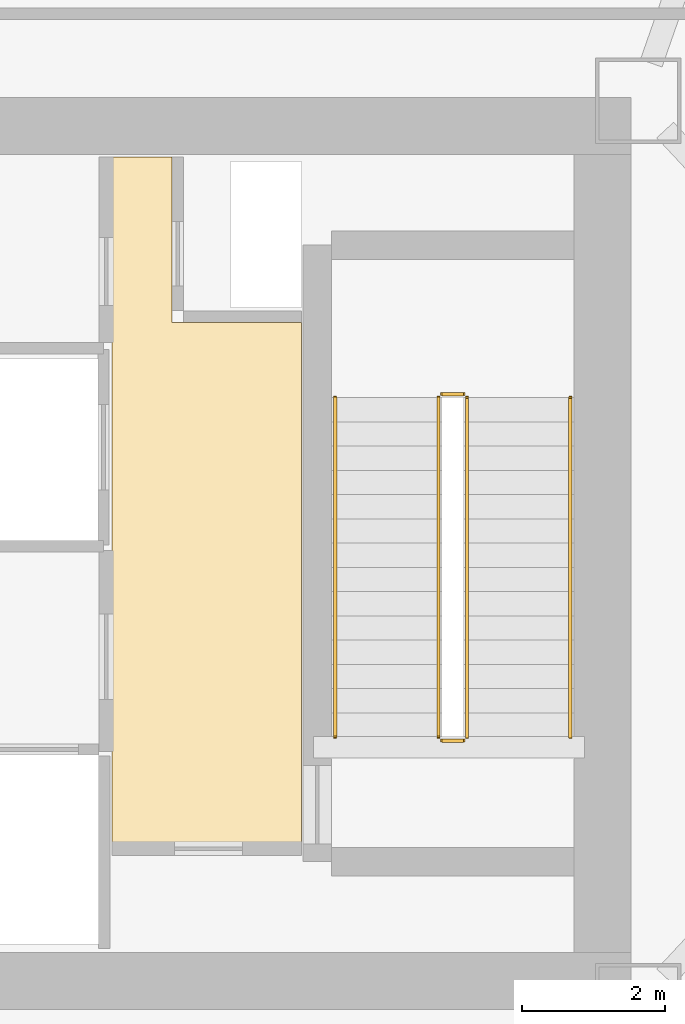
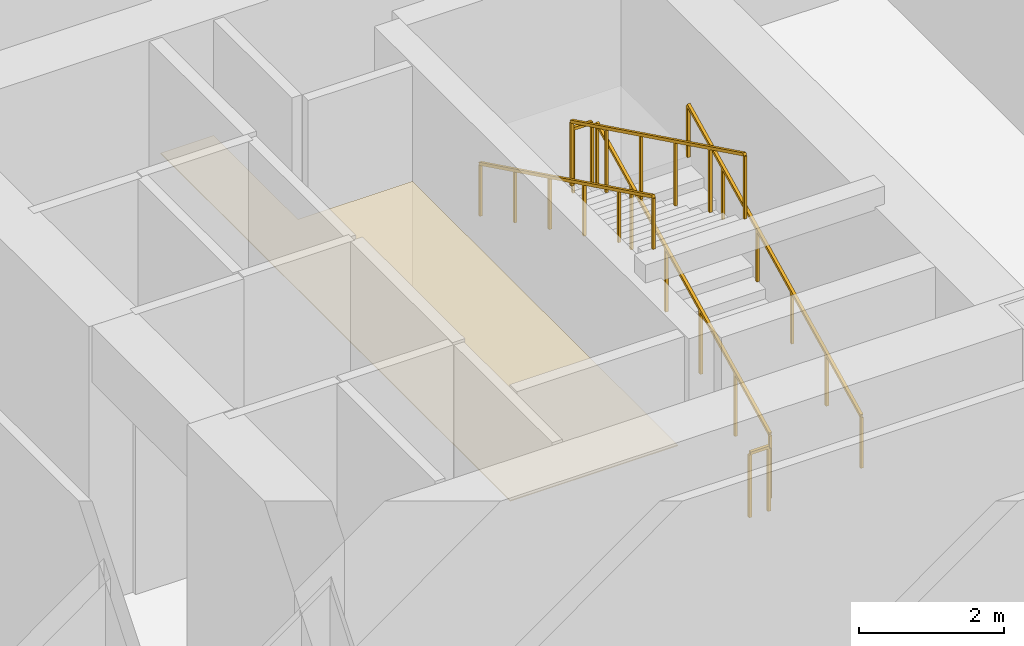
# One storey, part 20 of 20: 6 railings, 1 covering.
"""IFC4 building model written with IfcOpenShell, lengths in metres."""

from ifc_helpers import new_model, si_unit, direction, frame, origin, origin_2d, place, context, subcontext, project, spatial, polyline, rectangle, outline, extrude, material, layer, layer_set, type_object, element, save


model = new_model("IFC4")

# Units and contexts
model_context = context("Model", 3, precision=1e-05, world=origin(), true_north=direction((0.0, 1.0)))
body_context = subcontext(model_context, "Body", "Model", "MODEL_VIEW")
ifc_project = project(units=[si_unit("LENGTHUNIT", "METRE"), si_unit("AREAUNIT", "SQUARE_METRE"), si_unit("VOLUMEUNIT", "CUBIC_METRE"), si_unit("PLANEANGLEUNIT", "RADIAN"), si_unit("MASSUNIT", "GRAM", prefix="KILO")], contexts=[model_context])

# Site, building, storey
site_placement = place(None, origin())
site = spatial("IfcSite", under=ifc_project, at=site_placement, CompositionType="ELEMENT")
building_placement = place(site_placement, origin())
building = spatial("IfcBuilding", under=site, at=building_placement, Name="Tavrogorsk Clinical Tower", CompositionType="ELEMENT")
storey_placement = place(building_placement, frame((0.0, 0.0, 23.39990234375)))
storey = spatial("IfcBuildingStorey", under=building, at=storey_placement, Name="L04", CompositionType="ELEMENT", Elevation=23.39990234375)

# Covering
ifc_material_1 = material(Name="Antibacterial micro-perforated aluminium ceiling", Category="aluminium")
ifc_layer_1 = layer(ifc_material_1, 0.014892578125)
ifc_layer_set_1 = layer_set([ifc_layer_1], Name="Antibacterial micro-perforated aluminium ceiling")
covering_type = type_object("IfcCoveringType", Name="ClinicalCeiling_15", PredefinedType="CEILING", material=ifc_layer_set_1)
covering_placement = place(storey_placement, frame((0.0, 0.0, 2.75)))
element("IfcCovering", 1, at=covering_placement, inside=storey, type_object=covering_type, Name="Core East Firefighting Lift Lobby Acoustic Ceiling", PredefinedType="CEILING", context=body_context, shape_type="SweptSolid", body=[
    extrude(outline(polyline([(17.3798828125, -4.06005859375), (14.719970703125, -4.06005859375), (14.719970703125, 5.56005859375), (15.56005859375, 5.56005859375), (15.56005859375, 3.239990234375), (17.3798828125, 3.239990234375), (17.3798828125, -4.06005859375)])), origin(), (0.0, 0.0, 1.0), 0.01513671875),
])

# Railings
ifc_material_2 = material(Name="Galvanised steel S355 safety stairwell guard", Category="steel")
ifc_layer_2 = layer(ifc_material_2, 0.06005859375)
ifc_layer_set_2 = layer_set([ifc_layer_2], Name="Galvanised steel S355 safety stairwell guard")
railing_type_1 = type_object("IfcRailingType", Name="StairGuard_1150", PredefinedType="GUARDRAIL", material=ifc_layer_set_2)
railing_1_placement = place(storey_placement, frame((19.699951171875, -2.574951171875, 0.166748046875)))
element("IfcRailing", 2, at=railing_1_placement, inside=storey, type_object=railing_type_1, Name="L04 ST-E stair guard 1", PredefinedType="GUARDRAIL", context=body_context, shape_type="SweptSolid", body=[
    extrude(rectangle(XDim=0.048095703125, YDim=0.048095703125, at=origin_2d()), frame((0.0, 0.0, 1.076171875), z_axis=(0.0, 0.897927146867, 0.440144111535), x_axis=(-1.0, 0.0, 0.0)), (0.0, 0.0, 1.0), 5.301025390625),
    extrude(rectangle(XDim=0.0419921875, YDim=0.0419921875, at=origin_2d()), origin(), (0.0, 0.0, 1.0), 1.052001953125),
    extrude(rectangle(XDim=0.0419921875, YDim=0.0419921875, at=origin_2d()), frame((0.0, 0.951904296875, 0.466552734375)), (0.0, 0.0, 1.0), 1.052001953125),
    extrude(rectangle(XDim=0.0419921875, YDim=0.0419921875, at=origin_2d()), frame((0.0, 1.904052734375, 0.933349609375)), (0.0, 0.0, 1.0), 1.052001953125),
    extrude(rectangle(XDim=0.0419921875, YDim=0.0419921875, at=origin_2d()), frame((0.0, 2.85595703125, 1.39990234375)), (0.0, 0.0, 1.0), 1.052001953125),
    extrude(rectangle(XDim=0.0419921875, YDim=0.0419921875, at=origin_2d()), frame((0.0, 3.80810546875, 1.86669921875)), (0.0, 0.0, 1.0), 1.052001953125),
    extrude(rectangle(XDim=0.0419921875, YDim=0.0419921875, at=origin_2d()), frame((0.0, 4.760009765625, 2.333251953125)), (0.0, 0.0, 1.0), 1.052001953125),
])
railing_2_placement = place(storey_placement, frame((19.64990234375, 2.235107421875, 2.5)))
element("IfcRailing", 3, at=railing_2_placement, inside=storey, type_object=railing_type_1, Name="L04 ST-E stair guard 2", PredefinedType="GUARDRAIL", context=body_context, shape_type="SweptSolid", body=[
    extrude(rectangle(XDim=0.048095703125, YDim=0.048095703125, at=origin_2d()), frame((0.0, 0.0, 1.076171875), z_axis=(-1.0, 0.0, 0.0), x_axis=(0.0, -1.0, 0.0)), (0.0, 0.0, 1.0), 0.2998046875),
    extrude(rectangle(XDim=0.0419921875, YDim=0.0419921875, at=origin_2d()), origin(), (0.0, 0.0, 1.0), 1.052001953125),
    extrude(rectangle(XDim=0.0419921875, YDim=0.0419921875, at=origin_2d()), frame((-0.2998046875, 0.0, 0.0)), (0.0, 0.0, 1.0), 1.052001953125),
])
railing_3_placement = place(storey_placement, frame((19.300048828125, 2.18505859375, 2.666748046875)))
element("IfcRailing", 4, at=railing_3_placement, inside=storey, type_object=railing_type_1, Name="L04 ST-E stair guard 3", PredefinedType="GUARDRAIL", context=body_context, shape_type="SweptSolid", body=[
    extrude(rectangle(XDim=0.048095703125, YDim=0.048095703125, at=origin_2d()), frame((0.0, 0.0, 1.076171875), z_axis=(0.0, -0.897927146867, 0.440144111535), x_axis=(1.0, 0.0, 0.0)), (0.0, 0.0, 1.0), 5.301025390625),
    extrude(rectangle(XDim=0.0419921875, YDim=0.0419921875, at=origin_2d()), origin(), (0.0, 0.0, 1.0), 1.052001953125),
    extrude(rectangle(XDim=0.0419921875, YDim=0.0419921875, at=origin_2d()), frame((0.0, -0.951904296875, 0.466552734375)), (0.0, 0.0, 1.0), 1.052001953125),
    extrude(rectangle(XDim=0.0419921875, YDim=0.0419921875, at=origin_2d()), frame((0.0, -1.904052734375, 0.933349609375)), (0.0, 0.0, 1.0), 1.052001953125),
    extrude(rectangle(XDim=0.0419921875, YDim=0.0419921875, at=origin_2d()), frame((0.0, -2.85595703125, 1.39990234375)), (0.0, 0.0, 1.0), 1.052001953125),
    extrude(rectangle(XDim=0.0419921875, YDim=0.0419921875, at=origin_2d()), frame((0.0, -3.80810546875, 1.86669921875)), (0.0, 0.0, 1.0), 1.052001953125),
    extrude(rectangle(XDim=0.0419921875, YDim=0.0419921875, at=origin_2d()), frame((0.0, -4.760009765625, 2.333251953125)), (0.0, 0.0, 1.0), 1.052001953125),
])
railing_4_placement = place(storey_placement, frame((19.64990234375, -2.625, 0.0)))
element("IfcRailing", 5, at=railing_4_placement, inside=storey, type_object=railing_type_1, Name="L04 ST-E stair guard 4", PredefinedType="GUARDRAIL", context=body_context, shape_type="SweptSolid", body=[
    extrude(rectangle(XDim=0.048095703125, YDim=0.048095703125, at=origin_2d()), frame((0.0, 0.0, 1.076171875), z_axis=(-1.0, 0.0, 0.0), x_axis=(0.0, -1.0, 0.0)), (0.0, 0.0, 1.0), 0.2998046875),
    extrude(rectangle(XDim=0.0419921875, YDim=0.0419921875, at=origin_2d()), origin(), (0.0, 0.0, 1.0), 1.052001953125),
    extrude(rectangle(XDim=0.0419921875, YDim=0.0419921875, at=origin_2d()), frame((-0.2998046875, 0.0, 0.0)), (0.0, 0.0, 1.0), 1.052001953125),
])
ifc_material_3 = material(Name="Stainless steel AISI 304 tubular handrail", Category="steel")
ifc_layer_3 = layer(ifc_material_3, 0.050048828125)
ifc_layer_set_3 = layer_set([ifc_layer_3], Name="Stainless steel AISI 304 tubular handrail")
railing_type_2 = type_object("IfcRailingType", Name="StairHandrail_920", PredefinedType="HANDRAIL", material=ifc_layer_set_3)
railing_5_placement = place(storey_placement, frame((21.14990234375, -2.574951171875, 0.166748046875)))
element("IfcRailing", 6, at=railing_5_placement, inside=storey, type_object=railing_type_2, Name="L04 ST-E stair handrail 1", PredefinedType="HANDRAIL", context=body_context, shape_type="SweptSolid", body=[
    extrude(rectangle(XDim=0.048095703125, YDim=0.048095703125, at=origin_2d()), frame((0.0, 0.0, 0.8759765625), z_axis=(0.0, 0.897927146867, 0.440144111535), x_axis=(-1.0, 0.0, 0.0)), (0.0, 0.0, 1.0), 5.301025390625),
    extrude(rectangle(XDim=0.0419921875, YDim=0.0419921875, at=origin_2d()), origin(), (0.0, 0.0, 1.0), 0.851806640625),
    extrude(rectangle(XDim=0.0419921875, YDim=0.0419921875, at=origin_2d()), frame((0.0, 0.951904296875, 0.466552734375)), (0.0, 0.0, 1.0), 0.851806640625),
    extrude(rectangle(XDim=0.0419921875, YDim=0.0419921875, at=origin_2d()), frame((0.0, 1.904052734375, 0.933349609375)), (0.0, 0.0, 1.0), 0.851806640625),
    extrude(rectangle(XDim=0.0419921875, YDim=0.0419921875, at=origin_2d()), frame((0.0, 2.85595703125, 1.39990234375)), (0.0, 0.0, 1.0), 0.851806640625),
    extrude(rectangle(XDim=0.0419921875, YDim=0.0419921875, at=origin_2d()), frame((0.0, 3.80810546875, 1.86669921875)), (0.0, 0.0, 1.0), 0.851806640625),
    extrude(rectangle(XDim=0.0419921875, YDim=0.0419921875, at=origin_2d()), frame((0.0, 4.760009765625, 2.333251953125)), (0.0, 0.0, 1.0), 0.851806640625),
])
railing_6_placement = place(storey_placement, frame((17.85009765625, 2.18505859375, 2.666748046875)))
element("IfcRailing", 7, at=railing_6_placement, inside=storey, type_object=railing_type_2, Name="L04 ST-E stair handrail 2", PredefinedType="HANDRAIL", context=body_context, shape_type="SweptSolid", body=[
    extrude(rectangle(XDim=0.048095703125, YDim=0.048095703125, at=origin_2d()), frame((0.0, 0.0, 0.8759765625), z_axis=(0.0, -0.897927146867, 0.440144111535), x_axis=(1.0, 0.0, 0.0)), (0.0, 0.0, 1.0), 5.301025390625),
    extrude(rectangle(XDim=0.0419921875, YDim=0.0419921875, at=origin_2d()), origin(), (0.0, 0.0, 1.0), 0.851806640625),
    extrude(rectangle(XDim=0.0419921875, YDim=0.0419921875, at=origin_2d()), frame((0.0, -0.951904296875, 0.466552734375)), (0.0, 0.0, 1.0), 0.851806640625),
    extrude(rectangle(XDim=0.0419921875, YDim=0.0419921875, at=origin_2d()), frame((0.0, -1.904052734375, 0.933349609375)), (0.0, 0.0, 1.0), 0.851806640625),
    extrude(rectangle(XDim=0.0419921875, YDim=0.0419921875, at=origin_2d()), frame((0.0, -2.85595703125, 1.39990234375)), (0.0, 0.0, 1.0), 0.851806640625),
    extrude(rectangle(XDim=0.0419921875, YDim=0.0419921875, at=origin_2d()), frame((0.0, -3.80810546875, 1.86669921875)), (0.0, 0.0, 1.0), 0.851806640625),
    extrude(rectangle(XDim=0.0419921875, YDim=0.0419921875, at=origin_2d()), frame((0.0, -4.760009765625, 2.333251953125)), (0.0, 0.0, 1.0), 0.851806640625),
])

save(model, "model.ifc")
